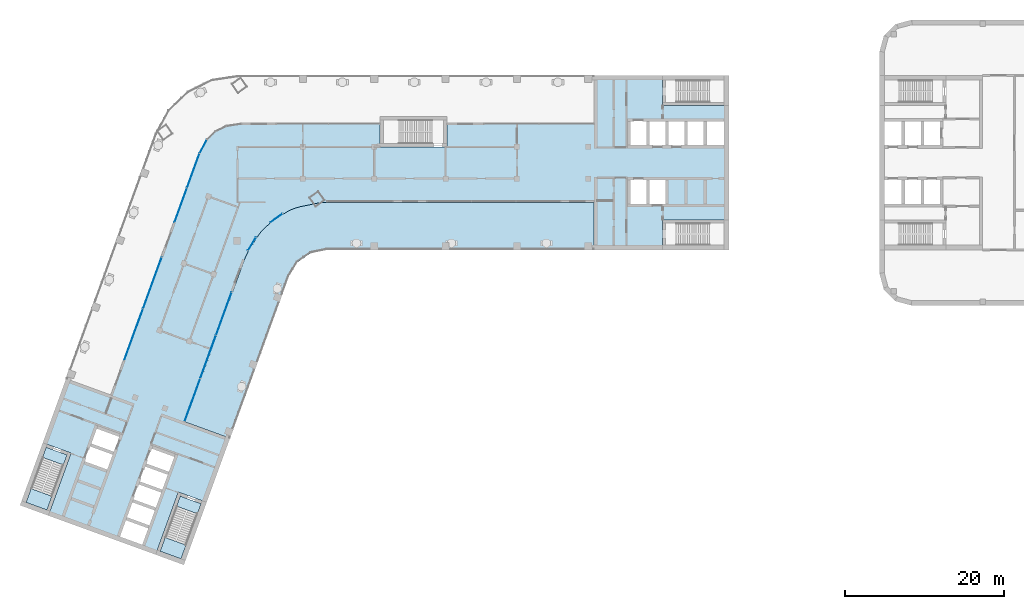
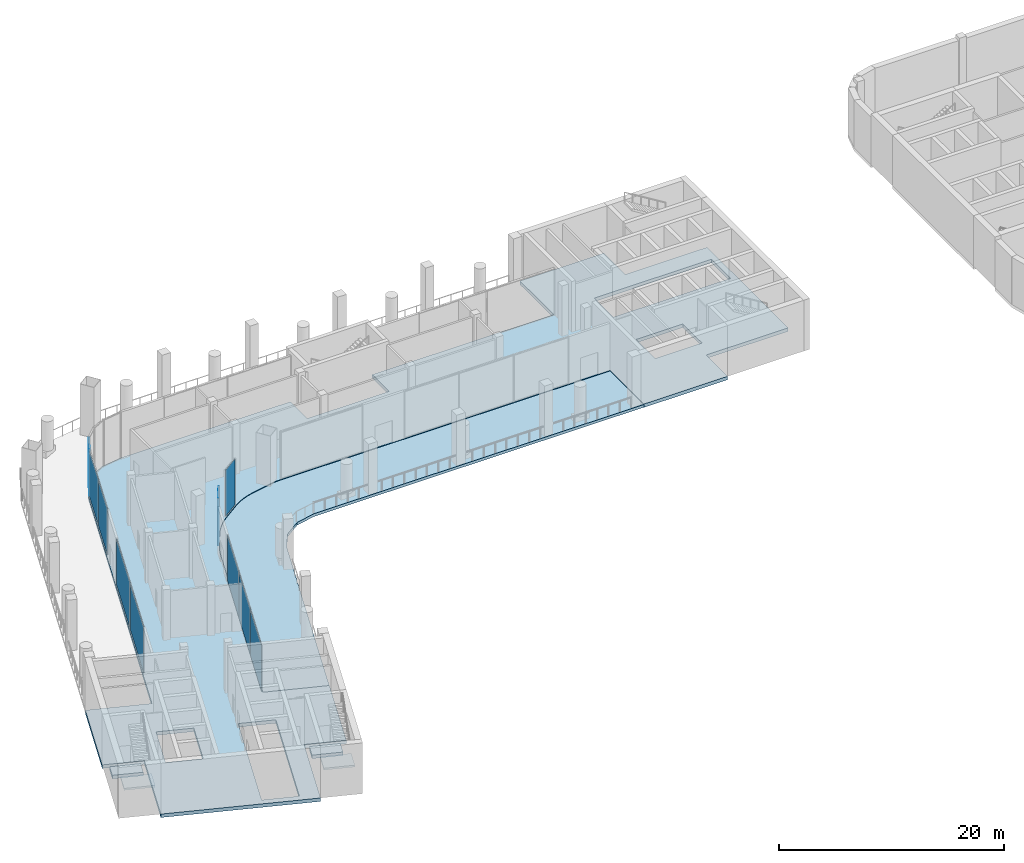
# One storey, part 6 of 19: 10 plates, 6 slabs, 8 elements without a shape of their own.
"""IFC4 building model written with IfcOpenShell, lengths in metres."""

from ifc_helpers import new_model, si_unit, direction, frame, origin, origin_2d, place, context, subcontext, project, spatial, polyline, rectangle, outline, extrude, material, layer, layer_set, type_object, element, aggregate, save


model = new_model("IFC4")

# Units and contexts
model_context = context("Model", 3, precision=1e-05, world=origin(), true_north=direction((0.0, 1.0)))
body_context = subcontext(model_context, "Body", "Model", "MODEL_VIEW")
ifc_project = project(units=[si_unit("LENGTHUNIT", "METRE"), si_unit("AREAUNIT", "SQUARE_METRE"), si_unit("VOLUMEUNIT", "CUBIC_METRE"), si_unit("PLANEANGLEUNIT", "RADIAN"), si_unit("MASSUNIT", "GRAM", prefix="KILO")], contexts=[model_context])

# Site, building, storey
site_placement = place(None, origin())
site = spatial("IfcSite", under=ifc_project, at=site_placement, CompositionType="ELEMENT")
building_placement = place(site_placement, origin())
building = spatial("IfcBuilding", under=site, at=building_placement, Name="Skarvind Civic Tower", CompositionType="ELEMENT")
storey_placement = place(building_placement, frame((0.0, 0.0, 75.5)))
storey = spatial("IfcBuildingStorey", under=building, at=storey_placement, Name="L17", CompositionType="ELEMENT", Elevation=75.5)

# Curtain wall, plates
ifc_material_1 = material(Name="Aluminium alloy 6063 and laminated glass", Category="aluminium")
curtain_wall_type = type_object("IfcCurtainWallType", Name="CW3 SEPARATOR INNER GLAZING", PredefinedType="NOTDEFINED", material=ifc_material_1)
curtain_wall_1_placement = place(storey_placement, origin())
curtain_wall_1 = element("IfcCurtainWall", 1, at=curtain_wall_1_placement, inside=storey, type_object=curtain_wall_type, Name="SEPARATOR INNER GLAZING", PredefinedType="NOTDEFINED")
ifc_material_2 = material(Name="Laminated low-iron glass", Category="glass")
ifc_layer_1 = layer(ifc_material_2, 0.031982421875)
ifc_layer_set_1 = layer_set([ifc_layer_1], Name="CW3 GLASS PANEL 32")
plate_type = type_object("IfcPlateType", Name="CW3 GLASS PANEL 32", PredefinedType="CURTAIN_PANEL", material=ifc_layer_set_1)
plate_1_placement = place(storey_placement, frame((44.275390625, 108.93505859375, 0.06005859375), z_axis=(0.0, 0.0, 1.0), x_axis=(-0.342017882714, -0.939693443578, 0.0)))
plate_1 = element("IfcPlate", 2, at=plate_1_placement, type_object=plate_type, Name="CW3 panel 1.1", PredefinedType="CURTAIN_PANEL", context=body_context, shape_type="SweptSolid", body=[
    extrude(rectangle(XDim=5.7138671875, YDim=0.031982421875, at=origin_2d()), origin(), (0.0, 0.0, 1.0), 5.0048828125),
])
plate_2_placement = place(storey_placement, frame((42.29541015625, 103.4951171875, 0.06005859375), z_axis=(0.0, 0.0, 1.0), x_axis=(-0.342017882714, -0.939693443578, 0.0)))
plate_2 = element("IfcPlate", 3, at=plate_2_placement, type_object=plate_type, Name="CW3 panel 2.1", PredefinedType="CURTAIN_PANEL", context=body_context, shape_type="SweptSolid", body=[
    extrude(rectangle(XDim=5.743896484375, YDim=0.031982421875, at=origin_2d()), origin(), (0.0, 0.0, 1.0), 5.0048828125),
])
plate_3_placement = place(storey_placement, frame((40.3154296875, 98.05517578125, 0.06005859375), z_axis=(0.0, 0.0, 1.0), x_axis=(-0.342017882714, -0.939693443578, 0.0)))
plate_3 = element("IfcPlate", 4, at=plate_3_placement, type_object=plate_type, Name="CW3 panel 3.1", PredefinedType="CURTAIN_PANEL", context=body_context, shape_type="SweptSolid", body=[
    extrude(rectangle(XDim=5.7138671875, YDim=0.031982421875, at=origin_2d()), origin(), (0.0, 0.0, 1.0), 5.0048828125),
])
aggregate(curtain_wall_1, [plate_1, plate_2, plate_3])

# Curtain wall, plate
curtain_wall_2_placement = place(storey_placement, origin())
curtain_wall_2 = element("IfcCurtainWall", 5, at=curtain_wall_2_placement, inside=storey, type_object=curtain_wall_type, Name="SEPARATOR INNER GLAZING", PredefinedType="NOTDEFINED")
plate_4_placement = place(storey_placement, frame((47.825927734375, 117.737548828125, 0.06005859375), z_axis=(0.0, 0.0, 1.0), x_axis=(-0.522416226992, -0.852690615508, 0.0)))
plate_4 = element("IfcPlate", 6, at=plate_4_placement, type_object=plate_type, Name="CW3 panel 1.1", PredefinedType="CURTAIN_PANEL", context=body_context, shape_type="SweptSolid", body=[
    extrude(rectangle(XDim=1.92236328125, YDim=0.031982421875, at=origin_2d()), origin(), (0.0, 0.0, 1.0), 5.0048828125),
])
aggregate(curtain_wall_2, [plate_4])

curtain_wall_3_placement = place(storey_placement, origin())
curtain_wall_3 = element("IfcCurtainWall", 7, at=curtain_wall_3_placement, inside=storey, type_object=curtain_wall_type, Name="SEPARATOR INNER GLAZING", PredefinedType="NOTDEFINED")
plate_5_placement = place(storey_placement, frame((50.8984375, 121.004150390625, 0.06005859375), z_axis=(0.0, 0.0, 1.0), x_axis=(-0.819146796665, -0.573583930662, 0.0)))
plate_5 = element("IfcPlate", 8, at=plate_5_placement, type_object=plate_type, Name="CW3 panel 1.1", PredefinedType="CURTAIN_PANEL", context=body_context, shape_type="SweptSolid", body=[
    extrude(rectangle(XDim=1.92236328125, YDim=0.031982421875, at=origin_2d()), origin(), (0.0, 0.0, 1.0), 5.0048828125),
])
aggregate(curtain_wall_3, [plate_5])

curtain_wall_4_placement = place(storey_placement, origin())
curtain_wall_4 = element("IfcCurtainWall", 9, at=curtain_wall_4_placement, inside=storey, type_object=curtain_wall_type, Name="SEPARATOR INNER GLAZING", PredefinedType="NOTDEFINED")
plate_6_placement = place(storey_placement, frame((41.68505859375, 130.04150390625, 0.06005859375), z_axis=(0.0, 0.0, 1.0), x_axis=(0.476545305268, 0.879149914421, 0.0)))
plate_6 = element("IfcPlate", 10, at=plate_6_placement, type_object=plate_type, Name="CW3 panel 1.1", PredefinedType="CURTAIN_PANEL", context=body_context, shape_type="SweptSolid", body=[
    extrude(rectangle(XDim=1.89501953125, YDim=0.031982421875, at=origin_2d()), origin(), (0.0, 0.0, 1.0), 5.0048828125),
])
aggregate(curtain_wall_4, [plate_6])

# Curtain wall, plates
curtain_wall_5_placement = place(storey_placement, origin())
curtain_wall_5 = element("IfcCurtainWall", 11, at=curtain_wall_5_placement, inside=storey, type_object=curtain_wall_type, Name="SEPARATOR INNER GLAZING", PredefinedType="NOTDEFINED")
plate_7_placement = place(storey_placement, frame((32.8896484375, 106.305908203125, 0.06005859375), z_axis=(0.0, 0.0, 1.0), x_axis=(0.342021813854, 0.939692012762, 0.0)))
plate_7 = element("IfcPlate", 12, at=plate_7_placement, type_object=plate_type, Name="CW3 panel 1.1", PredefinedType="CURTAIN_PANEL", context=body_context, shape_type="SweptSolid", body=[
    extrude(rectangle(XDim=6.86572265625, YDim=0.031982421875, at=origin_2d()), origin(), (0.0, 0.0, 1.0), 5.0048828125),
])
plate_8_placement = place(storey_placement, frame((35.25830078125, 112.814208984375, 0.06005859375), z_axis=(0.0, 0.0, 1.0), x_axis=(0.342021813854, 0.939692012762, 0.0)))
plate_8 = element("IfcPlate", 13, at=plate_8_placement, type_object=plate_type, Name="CW3 panel 2.1", PredefinedType="CURTAIN_PANEL", context=body_context, shape_type="SweptSolid", body=[
    extrude(rectangle(XDim=6.86572265625, YDim=0.031982421875, at=origin_2d()), origin(), (0.0, 0.0, 1.0), 5.0048828125),
])
aggregate(curtain_wall_5, [plate_7, plate_8])

curtain_wall_6_placement = place(storey_placement, origin())
curtain_wall_6 = element("IfcCurtainWall", 14, at=curtain_wall_6_placement, inside=storey, type_object=curtain_wall_type, Name="SEPARATOR INNER GLAZING", PredefinedType="NOTDEFINED")
plate_9_placement = place(storey_placement, frame((38.837158203125, 122.64697265625, 0.06005859375), z_axis=(0.0, 0.0, 1.0), x_axis=(0.342026142657, 0.939690437186, 0.0)))
plate_9 = element("IfcPlate", 15, at=plate_9_placement, type_object=plate_type, Name="CW3 panel 1.1", PredefinedType="CURTAIN_PANEL", context=body_context, shape_type="SweptSolid", body=[
    extrude(rectangle(XDim=4.547119140625, YDim=0.031982421875, at=origin_2d()), origin(), (0.0, 0.0, 1.0), 5.0048828125),
])
plate_10_placement = place(storey_placement, frame((40.412841796875, 126.976318359375, 0.06005859375), z_axis=(0.0, 0.0, 1.0), x_axis=(0.342026142657, 0.939690437186, 0.0)))
plate_10 = element("IfcPlate", 16, at=plate_10_placement, type_object=plate_type, Name="CW3 panel 2.1", PredefinedType="CURTAIN_PANEL", context=body_context, shape_type="SweptSolid", body=[
    extrude(rectangle(XDim=4.547119140625, YDim=0.031982421875, at=origin_2d()), origin(), (0.0, 0.0, 1.0), 5.0048828125),
])
aggregate(curtain_wall_6, [plate_9, plate_10])

# Slabs
ifc_material_3 = material(Name="Concrete C50", Category="concrete")
ifc_layer_2 = layer(ifc_material_3, 0.375)
ifc_layer_set_2 = layer_set([ifc_layer_2], Name="Floor slab 375 C50")
slab_type_1 = type_object("IfcSlabType", Name="Floor slab 375 C50", PredefinedType="FLOOR", material=ifc_layer_set_2)
slab_1_placement = place(storey_placement, frame((0.0, 0.0, -0.375)))
element("IfcSlab", 17, at=slab_1_placement, inside=storey, type_object=slab_type_1, Name="Floor slab L17 1", PredefinedType="FLOOR", context=body_context, shape_type="SweptSolid", body=[
    extrude(outline(polyline([(41.1171875, 129.203369140625), (30.014892578125, 98.7001953125), (24.376708984375, 100.75244140625), (22.904541015625, 96.70751953125), (19.475341796875, 87.2861328125), (19.41748046875, 87.126708984375), (21.435302734375, 92.6708984375), (25.006103515625, 91.371337890625), (22.13330078125, 83.477783203125), (36.886474609375, 78.108154296875), (35.664794921875, 78.552734375), (38.53759765625, 86.4462890625), (42.108642578125, 85.146484375), (42.015380859375, 84.890625), (45.050048828125, 93.227783203125), (39.411865234375, 95.280029296875), (46.855712890625, 115.732421875), (47.089599609375, 116.28662109375), (47.377685546875, 116.814697265625), (48.444580078125, 118.55615234375), (48.79248046875, 119.0634765625), (49.1904296875, 119.532470703125), (49.63427734375, 119.95849609375), (50.119384765625, 120.336669921875), (51.79248046875, 121.508056640625), (52.313720703125, 121.83447265625), (52.865478515625, 122.10595703125), (53.4423828125, 122.3193359375), (54.0380859375, 122.47265625), (56.03955078125, 122.879638671875), (56.63427734375, 122.9697265625), (57.235107421875, 123.0), (91.0, 123.0), (91.0, 117.0), (99.60009765625, 117.0), (99.60009765625, 120.800048828125), (108.0, 120.800048828125), (108.0, 135.199951171875), (99.60009765625, 135.199951171875), (99.60009765625, 139.0), (91.0, 139.0), (91.0, 133.0), (72.39990234375, 133.0), (72.39990234375, 130.0), (64.0, 130.0), (64.0, 133.0), (46.539306640625, 133.0), (44.5458984375, 132.70361328125), (43.17724609375, 132.031494140625), (42.077392578125, 130.97509765625), (41.1171875, 129.203369140625)]), holes=[polyline([(32.625244140625, 85.40576171875), (33.446044921875, 87.660888671875), (34.26708984375, 89.916259765625), (35.087890625, 92.17138671875), (38.28271484375, 91.008544921875), (37.4619140625, 88.75341796875), (36.64111328125, 86.498046875), (35.8203125, 84.242919921875), (35.8203125, 84.242919921875), (34.99951171875, 81.987548828125), (34.178466796875, 79.732421875), (30.983642578125, 80.89501953125), (31.804443359375, 83.150390625), (32.625244140625, 85.40576171875), (32.625244140625, 85.40576171875)]), polyline([(31.3291015625, 93.53955078125), (30.50830078125, 91.2841796875), (29.6875, 89.029052734375), (26.492431640625, 90.19189453125), (27.313232421875, 92.447021484375), (28.134033203125, 94.702392578125), (31.3291015625, 93.53955078125)]), polyline([(100.199951171875, 126.0), (100.199951171875, 122.60009765625), (97.800048828125, 122.60009765625), (95.39990234375, 122.60009765625), (95.39990234375, 126.0), (97.800048828125, 126.0), (100.199951171875, 126.0)]), polyline([(100.199951171875, 133.39990234375), (102.60009765625, 133.39990234375), (105.0, 133.39990234375), (107.39990234375, 133.39990234375), (107.39990234375, 130.0), (105.0, 130.0), (102.60009765625, 130.0), (100.199951171875, 130.0), (97.800048828125, 130.0), (95.39990234375, 130.0), (95.39990234375, 133.39990234375), (97.800048828125, 133.39990234375), (100.199951171875, 133.39990234375)])]), origin(), (0.0, 0.0, 1.0), 0.375),
])
ifc_material_4 = material(Name="Concrete C40/50", Category="concrete")
ifc_layer_3 = layer(ifc_material_4, 0.375)
ifc_layer_set_3 = layer_set([ifc_layer_3], Name="Stair floor landing slab 375")
slab_type_2 = type_object("IfcSlabType", Name="Stair floor landing slab 375", PredefinedType="LANDING", material=ifc_layer_set_3)
slab_2_placement = place(storey_placement, frame((0.0, 0.0, -0.375)))
element("IfcSlab", 18, at=slab_2_placement, inside=storey, type_object=slab_type_2, Name="Stair floor landing", PredefinedType="LANDING", context=body_context, shape_type="SweptSolid", body=[
    extrude(outline(polyline([(40.946533203125, 83.70654296875), (38.314208984375, 84.66455078125), (38.7763671875, 85.934326171875), (41.40869140625, 84.976318359375), (40.946533203125, 83.70654296875)])), origin(), (0.0, 0.0, 1.0), 0.375),
])
slab_3_placement = place(storey_placement, frame((0.0, 0.0, -0.375)))
element("IfcSlab", 19, at=slab_3_placement, inside=storey, type_object=slab_type_2, Name="Stair floor landing", PredefinedType="LANDING", context=body_context, shape_type="SweptSolid", body=[
    extrude(outline(polyline([(24.0322265625, 89.863037109375), (21.39990234375, 90.821044921875), (21.862060546875, 92.090576171875), (24.494384765625, 91.132568359375), (24.0322265625, 89.863037109375)])), origin(), (0.0, 0.0, 1.0), 0.375),
])

# Stair, slab
stair_type = type_object("IfcStairType", Name="Exit stair, half-turn, concrete", PredefinedType="HALF_TURN_STAIR", material=ifc_material_4)
stair_1_placement = place(storey_placement, origin())
stair_1 = element("IfcStair", 20, at=stair_1_placement, inside=storey, type_object=stair_type, Name="Exit stair C2S", PredefinedType="HALF_TURN_STAIR")
ifc_layer_4 = layer(ifc_material_4, 0.199951171875)
ifc_layer_set_4 = layer_set([ifc_layer_4], Name="Stair half landing slab")
slab_type_3 = type_object("IfcSlabType", Name="Stair half landing slab", PredefinedType="LANDING", material=ifc_layer_set_4)
slab_4_placement = place(storey_placement, frame((0.0, 0.0, 2.550048828125)))
slab_4 = element("IfcSlab", 21, at=slab_4_placement, type_object=slab_type_3, Name="ST-C2S landing 1", PredefinedType="LANDING", context=body_context, shape_type="SweptSolid", body=[
    extrude(outline(polyline([(36.878173828125, 80.718994140625), (39.510498046875, 79.760986328125), (38.87744140625, 78.021484375), (36.2451171875, 78.9794921875), (36.878173828125, 80.718994140625)])), origin(), (0.0, 0.0, 1.0), 0.199951171875),
])
aggregate(stair_1, [slab_4])

stair_2_placement = place(storey_placement, origin())
stair_2 = element("IfcStair", 22, at=stair_2_placement, inside=storey, type_object=stair_type, Name="Exit stair C2N", PredefinedType="HALF_TURN_STAIR")
slab_5_placement = place(storey_placement, frame((0.0, 0.0, 2.550048828125)))
slab_5 = element("IfcSlab", 23, at=slab_5_placement, type_object=slab_type_3, Name="ST-C2N landing 1", PredefinedType="LANDING", context=body_context, shape_type="SweptSolid", body=[
    extrude(outline(polyline([(19.9638671875, 86.87548828125), (22.595947265625, 85.917236328125), (21.962890625, 84.177734375), (19.33056640625, 85.1357421875), (19.9638671875, 86.87548828125)])), origin(), (0.0, 0.0, 1.0), 0.199951171875),
])
aggregate(stair_2, [slab_5])

# Slab
ifc_layer_5 = layer(ifc_material_3, 0.300048828125)
ifc_layer_set_5 = layer_set([ifc_layer_5], Name="Terrace slab 300 C50")
slab_type_4 = type_object("IfcSlabType", Name="Terrace slab 300 C50", PredefinedType="FLOOR", material=ifc_layer_set_5)
slab_6_placement = place(storey_placement, frame((0.0, 0.0, -0.35009765625)))
element("IfcSlab", 24, at=slab_6_placement, inside=storey, type_object=slab_type_4, Name="Terrace slab L17 2", PredefinedType="FLOOR", context=body_context, shape_type="SweptSolid", body=[
    extrude(outline(polyline([(55.23388671875, 116.593017578125), (57.235107421875, 117.0), (91.0, 117.0), (91.0, 123.0), (57.235107421875, 123.0), (56.63427734375, 122.9697265625), (56.03955078125, 122.879638671875), (54.0380859375, 122.47265625), (53.4423828125, 122.3193359375), (52.865478515625, 122.10595703125), (52.313720703125, 121.83447265625), (51.79248046875, 121.508056640625), (50.119384765625, 120.336669921875), (49.63427734375, 119.95849609375), (49.1904296875, 119.532470703125), (48.79248046875, 119.0634765625), (48.444580078125, 118.55615234375), (47.377685546875, 116.814697265625), (47.089599609375, 116.28662109375), (46.855712890625, 115.732421875), (39.411865234375, 95.280029296875), (45.050048828125, 93.227783203125), (52.493896484375, 113.68017578125), (53.560791015625, 115.421630859375), (55.23388671875, 116.593017578125)])), origin(), (0.0, 0.0, 1.0), 0.300048828125),
])

save(model, "model.ifc")
